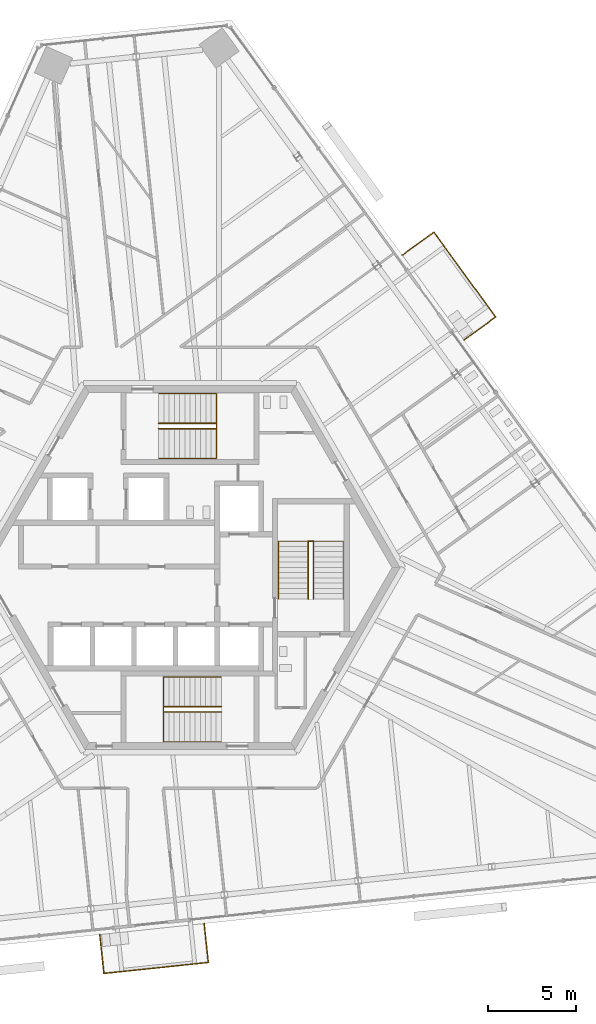
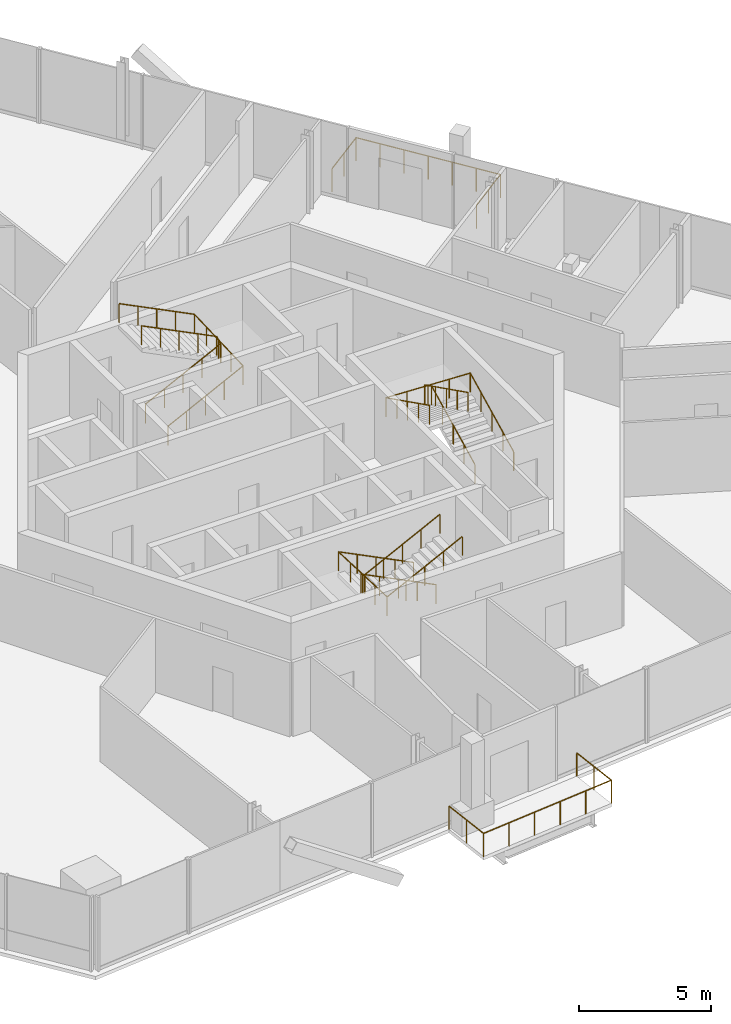
# One storey, part 16 of 19: 8 railings.
"""IFC4 building model written with IfcOpenShell, lengths in metres."""

from ifc_helpers import new_model, si_unit, direction, frame, origin, origin_2d, place, context, subcontext, project, spatial, circle, extrude, source, transform, mapped, material, type_object, element, save


model = new_model("IFC4")

# Units and contexts
model_context = context("Model", 3, precision=1e-05, world=origin(), true_north=direction((0.0, 1.0)))
body_context = subcontext(model_context, "Body", "Model", "MODEL_VIEW")
ifc_project = project(units=[si_unit("LENGTHUNIT", "METRE"), si_unit("AREAUNIT", "SQUARE_METRE"), si_unit("VOLUMEUNIT", "CUBIC_METRE"), si_unit("PLANEANGLEUNIT", "RADIAN"), si_unit("MASSUNIT", "GRAM", prefix="KILO")], contexts=[model_context])

# Site, building, storey
site_placement = place(None, origin())
site = spatial("IfcSite", under=ifc_project, at=site_placement, CompositionType="ELEMENT")
building_placement = place(site_placement, origin())
building = spatial("IfcBuilding", under=site, at=building_placement, Name="Triune Harvest Tower", CompositionType="ELEMENT")
storey_placement = place(building_placement, frame((0.0, 0.0, 244.89990234375)))
storey = spatial("IfcBuildingStorey", under=building, at=storey_placement, Name="L64", CompositionType="ELEMENT", Elevation=244.89990234375)

# Railings
ifc_material_1 = material(Name="Glass", Category="glass")
railing_type_1 = type_object("IfcRailingType", Name="GD-2 balcony guard 1100", PredefinedType="GUARDRAIL", material=ifc_material_1)
railing_1_placement = place(storey_placement, frame((15.652099609375, 12.9990234375, 0.0)))
element("IfcRailing", 1, at=railing_1_placement, inside=storey, type_object=railing_type_1, Name="Balcony guard B6-F1 L64.7", PredefinedType="GUARDRAIL", context=body_context, shape_type="SweptSolid", body=[
    extrude(circle(Radius=0.02392578125, at=origin_2d()), frame((0.0, 0.0, 1.076171875), z_axis=(0.809019457971, 0.587781861429, 0.0), x_axis=(-0.587781861429, 0.809019457971, 0.0)), (0.0, 0.0, 1.0), 2.234619140625),
    extrude(circle(Radius=0.02392578125, at=origin_2d()), frame((1.807861328125, 1.3134765625, 1.076171875), z_axis=(-0.587808727036, 0.808999938455, 0.0), x_axis=(-0.808999938455, -0.587808727036, 0.0)), (0.0, 0.0, 1.0), 6.0),
    extrude(circle(Radius=0.02392578125, at=origin_2d()), frame((-1.718994140625, 6.16748046875, 1.076171875), z_axis=(-0.80903366712, -0.587762303544, 0.0), x_axis=(0.587762303544, -0.80903366712, 0.0)), (0.0, 0.0, 1.0), 2.234375),
    extrude(circle(Radius=0.02099609375, at=origin_2d()), origin(), (0.0, 0.0, 1.0), 1.052001953125),
    extrude(circle(Radius=0.02099609375, at=origin_2d()), frame((0.90380859375, 0.65673828125, 0.0)), (0.0, 0.0, 1.0), 1.052001953125),
    extrude(circle(Radius=0.02099609375, at=origin_2d()), frame((1.807861328125, 1.3134765625, 0.0)), (0.0, 0.0, 1.0), 1.052001953125),
    extrude(circle(Radius=0.02099609375, at=origin_2d()), frame((1.219970703125, 2.12255859375, 0.0)), (0.0, 0.0, 1.0), 1.052001953125),
    extrude(circle(Radius=0.02099609375, at=origin_2d()), frame((0.63232421875, 2.931396484375, 0.0)), (0.0, 0.0, 1.0), 1.052001953125),
    extrude(circle(Radius=0.02099609375, at=origin_2d()), frame((0.04443359375, 3.740478515625, 0.0)), (0.0, 0.0, 1.0), 1.052001953125),
    extrude(circle(Radius=0.02099609375, at=origin_2d()), frame((-0.54345703125, 4.549560546875, 0.0)), (0.0, 0.0, 1.0), 1.052001953125),
    extrude(circle(Radius=0.02099609375, at=origin_2d()), frame((-1.131103515625, 5.3583984375, 0.0)), (0.0, 0.0, 1.0), 1.052001953125),
    extrude(circle(Radius=0.02099609375, at=origin_2d()), frame((-1.718994140625, 6.16748046875, 0.0)), (0.0, 0.0, 1.0), 1.052001953125),
    extrude(circle(Radius=0.02099609375, at=origin_2d()), frame((-2.622802734375, 5.5107421875, 0.0)), (0.0, 0.0, 1.0), 1.052001953125),
    extrude(circle(Radius=0.02099609375, at=origin_2d()), frame((-3.526611328125, 4.854248046875, 0.0)), (0.0, 0.0, 1.0), 1.052001953125),
])
ifc_material_2 = material(Name="Stainless steel AISI 316", Category="steel")
railing_type_2 = type_object("IfcRailingType", Name="Stair handrail", PredefinedType="HANDRAIL", material=ifc_material_2)
shared_shape_1 = source(origin(), body_context, "Body", "SweptSolid", [
    extrude(circle(Radius=0.02392578125, at=origin_2d()), frame((0.0, 0.0, 0.8759765625), z_axis=(0.894440424912, 0.0, 0.447187126696), x_axis=(0.0, 1.0, 0.0)), (0.0, 0.0, 1.0), 3.689453125),
    extrude(circle(Radius=0.02392578125, at=origin_2d()), frame((3.300048828125, 0.0, 2.52587890625), z_axis=(0.0, 0.999177620331, 0.040547293732), x_axis=(-1.0, 0.0, 0.0)), (0.0, 0.0, 1.0), 3.702880859375),
    extrude(circle(Radius=0.02392578125, at=origin_2d()), frame((3.300048828125, 3.699951171875, 2.67578125), z_axis=(-0.894440424912, 0.0, 0.447187126696), x_axis=(0.0, -1.0, 0.0)), (0.0, 0.0, 1.0), 3.689453125),
    extrude(circle(Radius=0.02099609375, at=origin_2d()), origin(), (0.0, 0.0, 1.0), 0.851806640625),
    extrude(circle(Radius=0.02099609375, at=origin_2d()), frame((0.824951171875, 0.0, 0.41259765625)), (0.0, 0.0, 1.0), 0.851806640625),
    extrude(circle(Radius=0.02099609375, at=origin_2d()), frame((1.64990234375, 0.0, 0.824951171875)), (0.0, 0.0, 1.0), 0.851806640625),
    extrude(circle(Radius=0.02099609375, at=origin_2d()), frame((2.47509765625, 0.0, 1.2373046875)), (0.0, 0.0, 1.0), 0.851806640625),
    extrude(circle(Radius=0.02099609375, at=origin_2d()), frame((3.300048828125, 0.0, 1.64990234375)), (0.0, 0.0, 1.0), 0.851806640625),
    extrude(circle(Radius=0.02099609375, at=origin_2d()), frame((3.300048828125, 0.925048828125, 1.6875)), (0.0, 0.0, 1.0), 0.851806640625),
    extrude(circle(Radius=0.02099609375, at=origin_2d()), frame((3.300048828125, 1.85009765625, 1.72509765625)), (0.0, 0.0, 1.0), 0.851806640625),
    extrude(circle(Radius=0.02099609375, at=origin_2d()), frame((3.300048828125, 2.77490234375, 1.762451171875)), (0.0, 0.0, 1.0), 0.851806640625),
    extrude(circle(Radius=0.02099609375, at=origin_2d()), frame((3.300048828125, 3.699951171875, 1.800048828125)), (0.0, 0.0, 1.0), 0.851806640625),
    extrude(circle(Radius=0.02099609375, at=origin_2d()), frame((2.47509765625, 3.699951171875, 2.21240234375)), (0.0, 0.0, 1.0), 0.851806640625),
    extrude(circle(Radius=0.02099609375, at=origin_2d()), frame((1.64990234375, 3.699951171875, 2.625)), (0.0, 0.0, 1.0), 0.851806640625),
    extrude(circle(Radius=0.02099609375, at=origin_2d()), frame((0.824951171875, 3.699951171875, 3.03759765625)), (0.0, 0.0, 1.0), 0.851806640625),
    extrude(circle(Radius=0.02099609375, at=origin_2d()), frame((0.0, 3.699951171875, 3.449951171875)), (0.0, 0.0, 1.0), 0.851806640625),
])
railing_2_placement = place(storey_placement, frame((-1.7900390625, 6.239990234375, 0.150146484375)))
element("IfcRailing", 2, at=railing_2_placement, inside=storey, type_object=railing_type_2, Name="Exit stair north wall handrail", PredefinedType="HANDRAIL", context=body_context, shape_type="MappedRepresentation", body=[
    mapped(shared_shape_1, transform((0.0, 0.0, 0.0), scale=1.0)),
])
shared_shape_2 = source(origin(), body_context, "Body", "SweptSolid", [
    extrude(circle(Radius=0.02392578125, at=origin_2d()), frame((0.0, 0.0, 0.8759765625), z_axis=(0.894440424912, 0.0, 0.447187126696), x_axis=(0.0, 1.0, 0.0)), (0.0, 0.0, 1.0), 3.689453125),
    extrude(circle(Radius=0.02392578125, at=origin_2d()), frame((3.300048828125, 0.0, 2.52587890625), z_axis=(0.0, 0.894281613681, 0.447504631744), x_axis=(-1.0, 0.0, 0.0)), (0.0, 0.0, 1.0), 0.33544921875),
    extrude(circle(Radius=0.02392578125, at=origin_2d()), frame((3.300048828125, 0.300048828125, 2.67578125), z_axis=(-0.894440424912, 0.0, 0.447187126696), x_axis=(0.0, -1.0, 0.0)), (0.0, 0.0, 1.0), 3.689453125),
    extrude(circle(Radius=0.02099609375, at=origin_2d()), origin(), (0.0, 0.0, 1.0), 0.851806640625),
    extrude(circle(Radius=0.02099609375, at=origin_2d()), frame((0.824951171875, 0.0, 0.41259765625)), (0.0, 0.0, 1.0), 0.851806640625),
    extrude(circle(Radius=0.02099609375, at=origin_2d()), frame((1.64990234375, 0.0, 0.824951171875)), (0.0, 0.0, 1.0), 0.851806640625),
    extrude(circle(Radius=0.02099609375, at=origin_2d()), frame((2.47509765625, 0.0, 1.2373046875)), (0.0, 0.0, 1.0), 0.851806640625),
    extrude(circle(Radius=0.02099609375, at=origin_2d()), frame((3.300048828125, 0.0, 1.64990234375)), (0.0, 0.0, 1.0), 0.851806640625),
    extrude(circle(Radius=0.02099609375, at=origin_2d()), frame((3.300048828125, 0.300048828125, 1.800048828125)), (0.0, 0.0, 1.0), 0.851806640625),
    extrude(circle(Radius=0.02099609375, at=origin_2d()), frame((2.47509765625, 0.300048828125, 2.21240234375)), (0.0, 0.0, 1.0), 0.851806640625),
    extrude(circle(Radius=0.02099609375, at=origin_2d()), frame((1.64990234375, 0.300048828125, 2.625)), (0.0, 0.0, 1.0), 0.851806640625),
    extrude(circle(Radius=0.02099609375, at=origin_2d()), frame((0.824951171875, 0.300048828125, 3.03759765625)), (0.0, 0.0, 1.0), 0.851806640625),
    extrude(circle(Radius=0.02099609375, at=origin_2d()), frame((0.0, 0.300048828125, 3.449951171875)), (0.0, 0.0, 1.0), 0.851806640625),
])
railing_3_placement = place(storey_placement, frame((-1.7900390625, 7.93994140625, 0.150146484375)))
element("IfcRailing", 3, at=railing_3_placement, inside=storey, type_object=railing_type_2, Name="Exit stair north centre handrail", PredefinedType="HANDRAIL", context=body_context, shape_type="MappedRepresentation", body=[
    mapped(shared_shape_2, transform((0.0, 0.0, 0.0), scale=1.0)),
])
shared_shape_3 = source(origin(), body_context, "Body", "SweptSolid", [
    extrude(circle(Radius=0.02392578125, at=origin_2d()), frame((0.0, 0.0, 0.8759765625), z_axis=(-0.894440424912, 0.0, 0.447187126696), x_axis=(0.0, -1.0, 0.0)), (0.0, 0.0, 1.0), 3.689453125),
    extrude(circle(Radius=0.02392578125, at=origin_2d()), frame((-3.300048828125, 0.0, 2.52587890625), z_axis=(0.0, -0.999177620331, 0.040547293732), x_axis=(1.0, 0.0, 0.0)), (0.0, 0.0, 1.0), 3.702880859375),
    extrude(circle(Radius=0.02392578125, at=origin_2d()), frame((-3.300048828125, -3.699951171875, 2.67578125), z_axis=(0.894440424912, 0.0, 0.447187126696), x_axis=(0.0, 1.0, 0.0)), (0.0, 0.0, 1.0), 3.689453125),
    extrude(circle(Radius=0.02099609375, at=origin_2d()), origin(), (0.0, 0.0, 1.0), 0.851806640625),
    extrude(circle(Radius=0.02099609375, at=origin_2d()), frame((-0.824951171875, 0.0, 0.41259765625)), (0.0, 0.0, 1.0), 0.851806640625),
    extrude(circle(Radius=0.02099609375, at=origin_2d()), frame((-1.64990234375, 0.0, 0.824951171875)), (0.0, 0.0, 1.0), 0.851806640625),
    extrude(circle(Radius=0.02099609375, at=origin_2d()), frame((-2.47509765625, 0.0, 1.2373046875)), (0.0, 0.0, 1.0), 0.851806640625),
    extrude(circle(Radius=0.02099609375, at=origin_2d()), frame((-3.300048828125, 0.0, 1.64990234375)), (0.0, 0.0, 1.0), 0.851806640625),
    extrude(circle(Radius=0.02099609375, at=origin_2d()), frame((-3.300048828125, -0.925048828125, 1.6875)), (0.0, 0.0, 1.0), 0.851806640625),
    extrude(circle(Radius=0.02099609375, at=origin_2d()), frame((-3.300048828125, -1.85009765625, 1.72509765625)), (0.0, 0.0, 1.0), 0.851806640625),
    extrude(circle(Radius=0.02099609375, at=origin_2d()), frame((-3.300048828125, -2.77490234375, 1.762451171875)), (0.0, 0.0, 1.0), 0.851806640625),
    extrude(circle(Radius=0.02099609375, at=origin_2d()), frame((-3.300048828125, -3.699951171875, 1.800048828125)), (0.0, 0.0, 1.0), 0.851806640625),
    extrude(circle(Radius=0.02099609375, at=origin_2d()), frame((-2.47509765625, -3.699951171875, 2.21240234375)), (0.0, 0.0, 1.0), 0.851806640625),
    extrude(circle(Radius=0.02099609375, at=origin_2d()), frame((-1.64990234375, -3.699951171875, 2.625)), (0.0, 0.0, 1.0), 0.851806640625),
    extrude(circle(Radius=0.02099609375, at=origin_2d()), frame((-0.824951171875, -3.699951171875, 3.03759765625)), (0.0, 0.0, 1.0), 0.851806640625),
    extrude(circle(Radius=0.02099609375, at=origin_2d()), frame((0.0, -3.699951171875, 3.449951171875)), (0.0, 0.0, 1.0), 0.851806640625),
])
railing_4_placement = place(storey_placement, frame((1.7900390625, -6.239990234375, 0.150146484375)))
element("IfcRailing", 4, at=railing_4_placement, inside=storey, type_object=railing_type_2, Name="Exit stair south wall handrail", PredefinedType="HANDRAIL", context=body_context, shape_type="MappedRepresentation", body=[
    mapped(shared_shape_3, transform((0.0, 0.0, 0.0), scale=1.0)),
])
shared_shape_4 = source(origin(), body_context, "Body", "SweptSolid", [
    extrude(circle(Radius=0.02392578125, at=origin_2d()), frame((0.0, 0.0, 0.8759765625), z_axis=(-0.894440424912, 0.0, 0.447187126696), x_axis=(0.0, -1.0, 0.0)), (0.0, 0.0, 1.0), 3.689453125),
    extrude(circle(Radius=0.02392578125, at=origin_2d()), frame((-3.300048828125, 0.0, 2.52587890625), z_axis=(0.0, -0.894281613681, 0.447504631744), x_axis=(1.0, 0.0, 0.0)), (0.0, 0.0, 1.0), 0.33544921875),
    extrude(circle(Radius=0.02392578125, at=origin_2d()), frame((-3.300048828125, -0.300048828125, 2.67578125), z_axis=(0.894440424912, 0.0, 0.447187126696), x_axis=(0.0, 1.0, 0.0)), (0.0, 0.0, 1.0), 3.689453125),
    extrude(circle(Radius=0.02099609375, at=origin_2d()), origin(), (0.0, 0.0, 1.0), 0.851806640625),
    extrude(circle(Radius=0.02099609375, at=origin_2d()), frame((-0.824951171875, 0.0, 0.41259765625)), (0.0, 0.0, 1.0), 0.851806640625),
    extrude(circle(Radius=0.02099609375, at=origin_2d()), frame((-1.64990234375, 0.0, 0.824951171875)), (0.0, 0.0, 1.0), 0.851806640625),
    extrude(circle(Radius=0.02099609375, at=origin_2d()), frame((-2.47509765625, 0.0, 1.2373046875)), (0.0, 0.0, 1.0), 0.851806640625),
    extrude(circle(Radius=0.02099609375, at=origin_2d()), frame((-3.300048828125, 0.0, 1.64990234375)), (0.0, 0.0, 1.0), 0.851806640625),
    extrude(circle(Radius=0.02099609375, at=origin_2d()), frame((-3.300048828125, -0.300048828125, 1.800048828125)), (0.0, 0.0, 1.0), 0.851806640625),
    extrude(circle(Radius=0.02099609375, at=origin_2d()), frame((-2.47509765625, -0.300048828125, 2.21240234375)), (0.0, 0.0, 1.0), 0.851806640625),
    extrude(circle(Radius=0.02099609375, at=origin_2d()), frame((-1.64990234375, -0.300048828125, 2.625)), (0.0, 0.0, 1.0), 0.851806640625),
    extrude(circle(Radius=0.02099609375, at=origin_2d()), frame((-0.824951171875, -0.300048828125, 3.03759765625)), (0.0, 0.0, 1.0), 0.851806640625),
    extrude(circle(Radius=0.02099609375, at=origin_2d()), frame((0.0, -0.300048828125, 3.449951171875)), (0.0, 0.0, 1.0), 0.851806640625),
])
railing_5_placement = place(storey_placement, frame((1.7900390625, -7.93994140625, 0.150146484375)))
element("IfcRailing", 5, at=railing_5_placement, inside=storey, type_object=railing_type_2, Name="Exit stair south centre handrail", PredefinedType="HANDRAIL", context=body_context, shape_type="MappedRepresentation", body=[
    mapped(shared_shape_4, transform((0.0, 0.0, 0.0), scale=1.0)),
])
shared_shape_5 = source(origin(), body_context, "Body", "SweptSolid", [
    extrude(circle(Radius=0.02392578125, at=origin_2d()), frame((0.0, 0.0, 0.8759765625), z_axis=(0.0, 0.894440424912, 0.447187126696), x_axis=(-1.0, 0.0, 0.0)), (0.0, 0.0, 1.0), 3.689453125),
    extrude(circle(Radius=0.02392578125, at=origin_2d()), frame((0.0, 3.300048828125, 2.52587890625), z_axis=(-0.999177620331, 0.0, 0.040547293732), x_axis=(0.0, -1.0, 0.0)), (0.0, 0.0, 1.0), 3.702880859375),
    extrude(circle(Radius=0.02392578125, at=origin_2d()), frame((-3.699951171875, 3.300048828125, 2.67578125), z_axis=(0.0, -0.894440424912, 0.447187126696), x_axis=(1.0, 0.0, 0.0)), (0.0, 0.0, 1.0), 3.689453125),
    extrude(circle(Radius=0.02099609375, at=origin_2d()), origin(), (0.0, 0.0, 1.0), 0.851806640625),
    extrude(circle(Radius=0.02099609375, at=origin_2d()), frame((0.0, 0.824951171875, 0.41259765625)), (0.0, 0.0, 1.0), 0.851806640625),
    extrude(circle(Radius=0.02099609375, at=origin_2d()), frame((0.0, 1.64990234375, 0.824951171875)), (0.0, 0.0, 1.0), 0.851806640625),
    extrude(circle(Radius=0.02099609375, at=origin_2d()), frame((0.0, 2.47509765625, 1.2373046875)), (0.0, 0.0, 1.0), 0.851806640625),
    extrude(circle(Radius=0.02099609375, at=origin_2d()), frame((0.0, 3.300048828125, 1.64990234375)), (0.0, 0.0, 1.0), 0.851806640625),
    extrude(circle(Radius=0.02099609375, at=origin_2d()), frame((-0.925048828125, 3.300048828125, 1.6875)), (0.0, 0.0, 1.0), 0.851806640625),
    extrude(circle(Radius=0.02099609375, at=origin_2d()), frame((-1.85009765625, 3.300048828125, 1.72509765625)), (0.0, 0.0, 1.0), 0.851806640625),
    extrude(circle(Radius=0.02099609375, at=origin_2d()), frame((-2.77490234375, 3.300048828125, 1.762451171875)), (0.0, 0.0, 1.0), 0.851806640625),
    extrude(circle(Radius=0.02099609375, at=origin_2d()), frame((-3.699951171875, 3.300048828125, 1.800048828125)), (0.0, 0.0, 1.0), 0.851806640625),
    extrude(circle(Radius=0.02099609375, at=origin_2d()), frame((-3.699951171875, 2.47509765625, 2.21240234375)), (0.0, 0.0, 1.0), 0.851806640625),
    extrude(circle(Radius=0.02099609375, at=origin_2d()), frame((-3.699951171875, 1.64990234375, 2.625)), (0.0, 0.0, 1.0), 0.851806640625),
    extrude(circle(Radius=0.02099609375, at=origin_2d()), frame((-3.699951171875, 0.824951171875, 3.03759765625)), (0.0, 0.0, 1.0), 0.851806640625),
    extrude(circle(Radius=0.02099609375, at=origin_2d()), frame((-3.699951171875, 0.0, 3.449951171875)), (0.0, 0.0, 1.0), 0.851806640625),
])
railing_6_placement = place(storey_placement, frame((8.75, -1.7900390625, 0.150146484375)))
element("IfcRailing", 6, at=railing_6_placement, inside=storey, type_object=railing_type_2, Name="Exit stair east wall handrail", PredefinedType="HANDRAIL", context=body_context, shape_type="MappedRepresentation", body=[
    mapped(shared_shape_5, transform((0.0, 0.0, 0.0), scale=1.0)),
])
shared_shape_6 = source(origin(), body_context, "Body", "SweptSolid", [
    extrude(circle(Radius=0.02392578125, at=origin_2d()), frame((0.0, 0.0, 0.8759765625), z_axis=(0.0, 0.894440424912, 0.447187126696), x_axis=(-1.0, 0.0, 0.0)), (0.0, 0.0, 1.0), 3.689453125),
    extrude(circle(Radius=0.02392578125, at=origin_2d()), frame((0.0, 3.300048828125, 2.52587890625), z_axis=(-0.894281613681, 0.0, 0.447504631744), x_axis=(0.0, -1.0, 0.0)), (0.0, 0.0, 1.0), 0.33544921875),
    extrude(circle(Radius=0.02392578125, at=origin_2d()), frame((-0.300048828125, 3.300048828125, 2.67578125), z_axis=(0.0, -0.894440424912, 0.447187126696), x_axis=(1.0, 0.0, 0.0)), (0.0, 0.0, 1.0), 3.689453125),
    extrude(circle(Radius=0.02099609375, at=origin_2d()), origin(), (0.0, 0.0, 1.0), 0.851806640625),
    extrude(circle(Radius=0.02099609375, at=origin_2d()), frame((0.0, 0.824951171875, 0.41259765625)), (0.0, 0.0, 1.0), 0.851806640625),
    extrude(circle(Radius=0.02099609375, at=origin_2d()), frame((0.0, 1.64990234375, 0.824951171875)), (0.0, 0.0, 1.0), 0.851806640625),
    extrude(circle(Radius=0.02099609375, at=origin_2d()), frame((0.0, 2.47509765625, 1.2373046875)), (0.0, 0.0, 1.0), 0.851806640625),
    extrude(circle(Radius=0.02099609375, at=origin_2d()), frame((0.0, 3.300048828125, 1.64990234375)), (0.0, 0.0, 1.0), 0.851806640625),
    extrude(circle(Radius=0.02099609375, at=origin_2d()), frame((-0.300048828125, 3.300048828125, 1.800048828125)), (0.0, 0.0, 1.0), 0.851806640625),
    extrude(circle(Radius=0.02099609375, at=origin_2d()), frame((-0.300048828125, 2.47509765625, 2.21240234375)), (0.0, 0.0, 1.0), 0.851806640625),
    extrude(circle(Radius=0.02099609375, at=origin_2d()), frame((-0.300048828125, 1.64990234375, 2.625)), (0.0, 0.0, 1.0), 0.851806640625),
    extrude(circle(Radius=0.02099609375, at=origin_2d()), frame((-0.300048828125, 0.824951171875, 3.03759765625)), (0.0, 0.0, 1.0), 0.851806640625),
    extrude(circle(Radius=0.02099609375, at=origin_2d()), frame((-0.300048828125, 0.0, 3.449951171875)), (0.0, 0.0, 1.0), 0.851806640625),
])
railing_7_placement = place(storey_placement, frame((7.050048828125, -1.7900390625, 0.150146484375)))
element("IfcRailing", 7, at=railing_7_placement, inside=storey, type_object=railing_type_2, Name="Exit stair east centre handrail", PredefinedType="HANDRAIL", context=body_context, shape_type="MappedRepresentation", body=[
    mapped(shared_shape_6, transform((0.0, 0.0, 0.0), scale=1.0)),
])
shared_shape_7 = source(origin(), body_context, "Body", "SweptSolid", [
    extrude(circle(Radius=0.02392578125, at=origin_2d()), frame((0.0, 0.0, 1.076171875), z_axis=(0.104565342096, -0.994518018556, 0.0), x_axis=(0.994518018556, 0.104565342096, 0.0)), (0.0, 0.0, 1.0), 2.234375),
    extrude(circle(Radius=0.02392578125, at=origin_2d()), frame((0.233642578125, -2.22216796875, 1.076171875), z_axis=(0.994521271903, 0.104534394972, 0.0), x_axis=(-0.104534394972, 0.994521271903, 0.0)), (0.0, 0.0, 1.0), 6.0),
    extrude(circle(Radius=0.02392578125, at=origin_2d()), frame((6.20068359375, -1.594970703125, 1.076171875), z_axis=(-0.104565342096, 0.994518018556, 0.0), x_axis=(-0.994518018556, -0.104565342096, 0.0)), (0.0, 0.0, 1.0), 2.234375),
    extrude(circle(Radius=0.02099609375, at=origin_2d()), origin(), (0.0, 0.0, 1.0), 1.052001953125),
    extrude(circle(Radius=0.02099609375, at=origin_2d()), frame((0.11669921875, -1.111083984375, 0.0)), (0.0, 0.0, 1.0), 1.052001953125),
    extrude(circle(Radius=0.02099609375, at=origin_2d()), frame((0.233642578125, -2.22216796875, 0.0)), (0.0, 0.0, 1.0), 1.052001953125),
    extrude(circle(Radius=0.02099609375, at=origin_2d()), frame((1.427001953125, -2.0966796875, 0.0)), (0.0, 0.0, 1.0), 1.052001953125),
    extrude(circle(Radius=0.02099609375, at=origin_2d()), frame((2.620361328125, -1.97119140625, 0.0)), (0.0, 0.0, 1.0), 1.052001953125),
    extrude(circle(Radius=0.02099609375, at=origin_2d()), frame((3.81396484375, -1.845947265625, 0.0)), (0.0, 0.0, 1.0), 1.052001953125),
    extrude(circle(Radius=0.02099609375, at=origin_2d()), frame((5.00732421875, -1.720458984375, 0.0)), (0.0, 0.0, 1.0), 1.052001953125),
    extrude(circle(Radius=0.02099609375, at=origin_2d()), frame((6.20068359375, -1.594970703125, 0.0)), (0.0, 0.0, 1.0), 1.052001953125),
    extrude(circle(Radius=0.02099609375, at=origin_2d()), frame((6.083984375, -0.48388671875, 0.0)), (0.0, 0.0, 1.0), 1.052001953125),
    extrude(circle(Radius=0.02099609375, at=origin_2d()), frame((5.967041015625, 0.627197265625, 0.0)), (0.0, 0.0, 1.0), 1.052001953125),
])
railing_8_placement = place(storey_placement, frame((-5.154052734375, -20.95703125, 0.0)))
element("IfcRailing", 8, at=railing_8_placement, inside=storey, type_object=railing_type_1, Name="Balcony guard B6-F5 L64.5", PredefinedType="GUARDRAIL", context=body_context, shape_type="MappedRepresentation", body=[
    mapped(shared_shape_7, transform((0.0, 0.0, 0.0), scale=1.0)),
])

save(model, "model.ifc")
